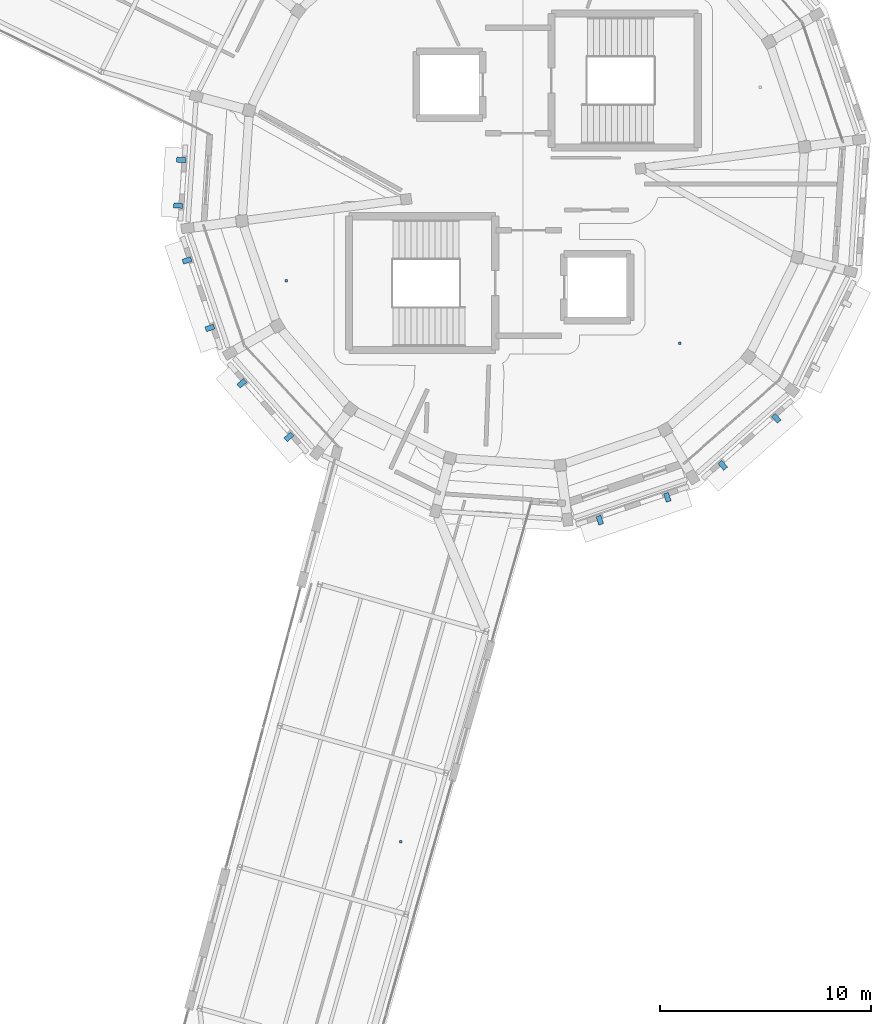
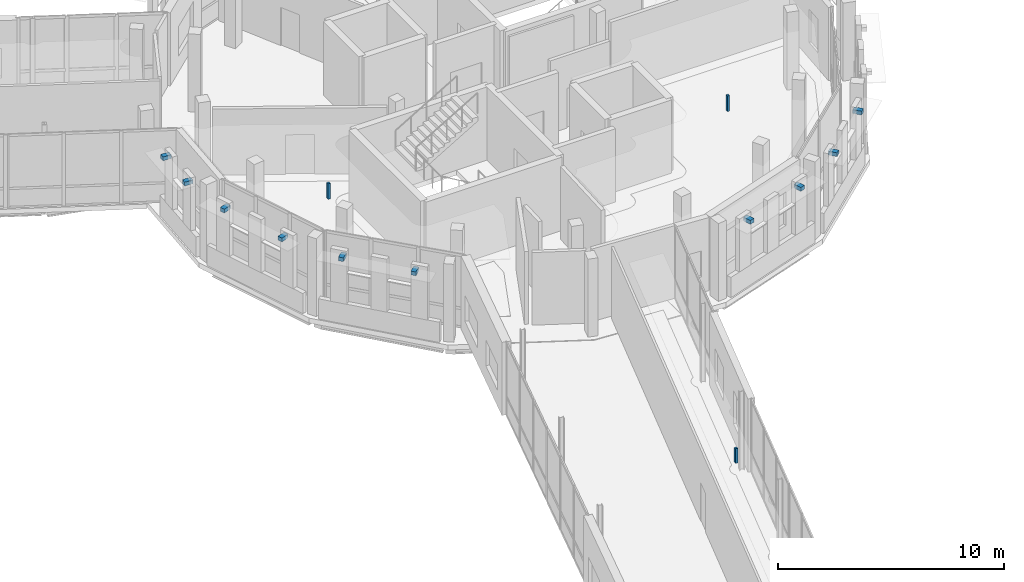
# One storey, part 115 of 125: 13 discrete accessories.
"""IFC4 building model written with IfcOpenShell, lengths in metres."""

from ifc_helpers import new_model, si_unit, direction, frame, origin, origin_2d, place, context, subcontext, project, spatial, rectangle, extrude, material, type_object, element, save


model = new_model("IFC4")

# Units and contexts
model_context = context("Model", 3, precision=1e-05, world=origin(), true_north=direction((0.0, 1.0)))
body_context = subcontext(model_context, "Body", "Model", "MODEL_VIEW")
ifc_project = project(units=[si_unit("LENGTHUNIT", "METRE"), si_unit("AREAUNIT", "SQUARE_METRE"), si_unit("VOLUMEUNIT", "CUBIC_METRE"), si_unit("PLANEANGLEUNIT", "RADIAN"), si_unit("MASSUNIT", "GRAM", prefix="KILO")], contexts=[model_context])

# Site, building, storey
site_placement = place(None, origin())
site = spatial("IfcSite", under=ifc_project, at=site_placement, CompositionType="ELEMENT")
building_placement = place(site_placement, origin())
building = spatial("IfcBuilding", under=site, at=building_placement, Name="Wrenclough Park School", CompositionType="ELEMENT")
storey_placement = place(building_placement, frame((0.0, 0.0, 4.199951171875)))
storey = spatial("IfcBuildingStorey", under=building, at=storey_placement, Name="L01", CompositionType="ELEMENT", Elevation=4.199951171875)

# Discrete accessories
ifc_material_1 = material(Name="Austenitic stainless steel Grade 1.4401", Category="steel")
discrete_accessory_type_1 = type_object("IfcDiscreteAccessoryType", Name="ENV-BRK-01", PredefinedType="BRACKET", material=ifc_material_1)
for number, where, z_axis, x_axis, name in (
    (1, (158.2783203125, 94.63427734375, 3.5400390625), (0.0, 0.0, 1.0), (-0.065391631825, -0.997859676752, 0.0), "Brise-soleil stainless outrigger bracket 0067"),
    (2, (158.13671875, 92.473388671875, 3.5400390625), (0.0, 0.0, 1.0), (-0.065391631825, -0.997859676752, 0.0), "Brise-soleil stainless outrigger bracket 0068"),
    (3, (158.558837890625, 89.873291015625, 3.5400390625), (0.0, 0.0, 1.0), (0.321426842345, -0.946934414318, 0.0), "Brise-soleil stainless outrigger bracket 0069"),
    (4, (159.64501953125, 86.673095703125, 3.5400390625), (0.0, 0.0, 1.0), (0.321426842345, -0.946934414318, 0.0), "Brise-soleil stainless outrigger bracket 0070"),
    (5, (161.159912109375, 84.048828125, 3.5400390625), (0.0, 0.0, 1.0), (0.659348912876, -0.751837090791, 0.0), "Brise-soleil stainless outrigger bracket 0071"),
    (6, (163.38818359375, 81.50830078125, 3.5400390625), (0.0, 0.0, 1.0), (0.659348912876, -0.751837090791, 0.0), "Brise-soleil stainless outrigger bracket 0072"),
    (7, (178.126708984375, 77.558837890625, 3.5400390625), (0.0, 0.0, 1.0), (0.946934414318, 0.321426842345, 0.0), "Brise-soleil stainless outrigger bracket 0073"),
    (8, (181.326904296875, 78.64501953125, 3.5400390625), (0.0, 0.0, 1.0), (0.946934414318, 0.321426842345, 0.0), "Brise-soleil stainless outrigger bracket 0074"),
    (9, (183.951171875, 80.159912109375, 3.5400390625), (0.0, 0.0, 1.0), (0.751837090791, 0.659348912876, 0.0), "Brise-soleil stainless outrigger bracket 0075"),
    (10, (186.49169921875, 82.38818359375, 3.5400390625), (0.0, 0.0, 1.0), (0.751837090791, 0.659348912876, 0.0), "Brise-soleil stainless outrigger bracket 0076"),
):
    element("IfcDiscreteAccessory", number, at=place(storey_placement, frame(where, z_axis=z_axis, x_axis=x_axis)), inside=storey, type_object=discrete_accessory_type_1, Name=name, PredefinedType="BRACKET", context=body_context, shape_type="SweptSolid", body=[
        extrude(rectangle(XDim=0.239990234375, YDim=0.419921875, at=origin_2d()), origin(), (0.0, 0.0, 1.0), 0.199951171875),
    ])
ifc_material_2 = material(Name="Galvanised steel acoustic ceiling suspension hanger", Category="steel")
discrete_accessory_type_2 = type_object("IfcDiscreteAccessoryType", Name="INT-BRK-HGR", PredefinedType="BRACKET", material=ifc_material_2)
for number, where, z_axis, x_axis, name in (
    (11, (163.26611328125, 88.918212890625, 3.090087890625), (0.0, 0.0, 1.0), (1.0, 0.0, 0.0), "Acoustic ceiling hanger bracket 0034"),
    (12, (181.9130859375, 85.953857421875, 3.090087890625), (0.0, 0.0, 1.0), (1.0, 0.0, 0.0), "Acoustic ceiling hanger bracket 0035"),
):
    element("IfcDiscreteAccessory", number, at=place(storey_placement, frame(where, z_axis=z_axis, x_axis=x_axis)), inside=storey, type_object=discrete_accessory_type_2, Name=name, PredefinedType="BRACKET", context=body_context, shape_type="SweptSolid", body=[
        extrude(rectangle(XDim=0.1201171875, YDim=0.1201171875, at=origin_2d()), origin(), (0.0, 0.0, 1.0), 0.85009765625),
    ])
discrete_accessory_placement = place(storey_placement, frame((168.688720703125, 62.32666015625, 3.090087890625), z_axis=(0.0, 0.0, 1.0), x_axis=(1.0, 0.0, 0.0)))
element("IfcDiscreteAccessory", 13, at=discrete_accessory_placement, inside=storey, type_object=discrete_accessory_type_2, Name="Acoustic ceiling hanger bracket 0042", PredefinedType="BRACKET", context=body_context, shape_type="SweptSolid", body=[
    extrude(rectangle(XDim=0.1201171875, YDim=0.1201171875, at=origin_2d()), origin(), (0.0, 0.0, 1.0), 0.7900390625),
])

save(model, "model.ifc")
